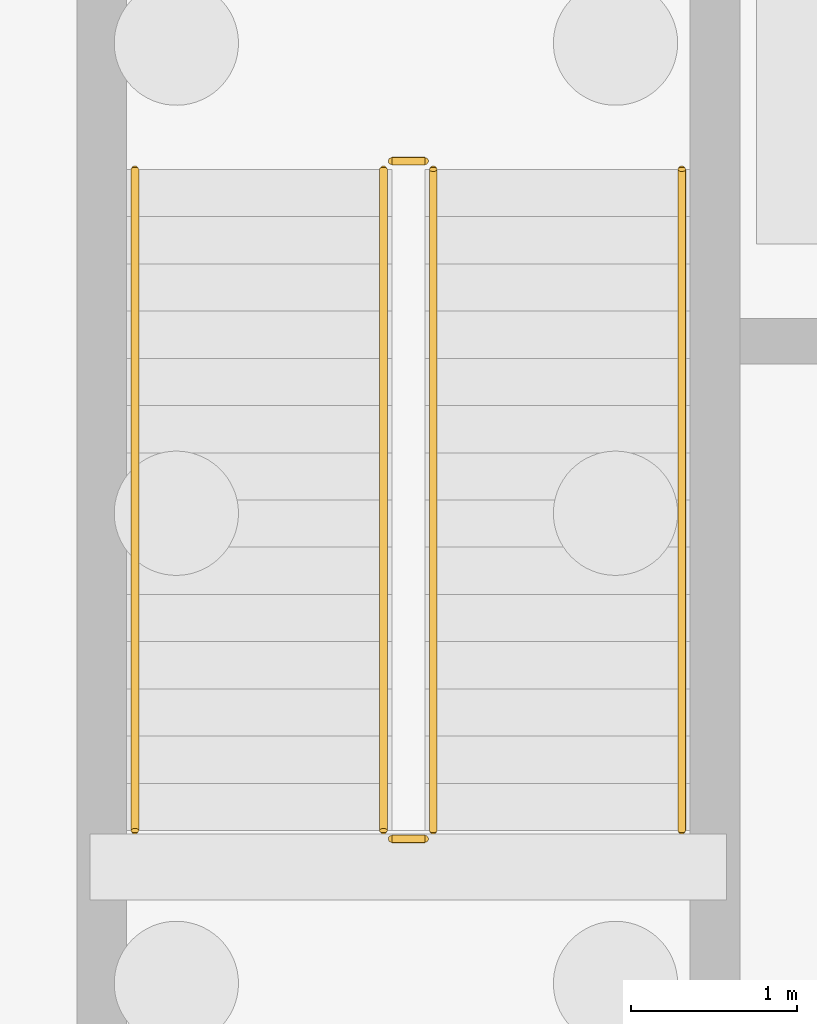
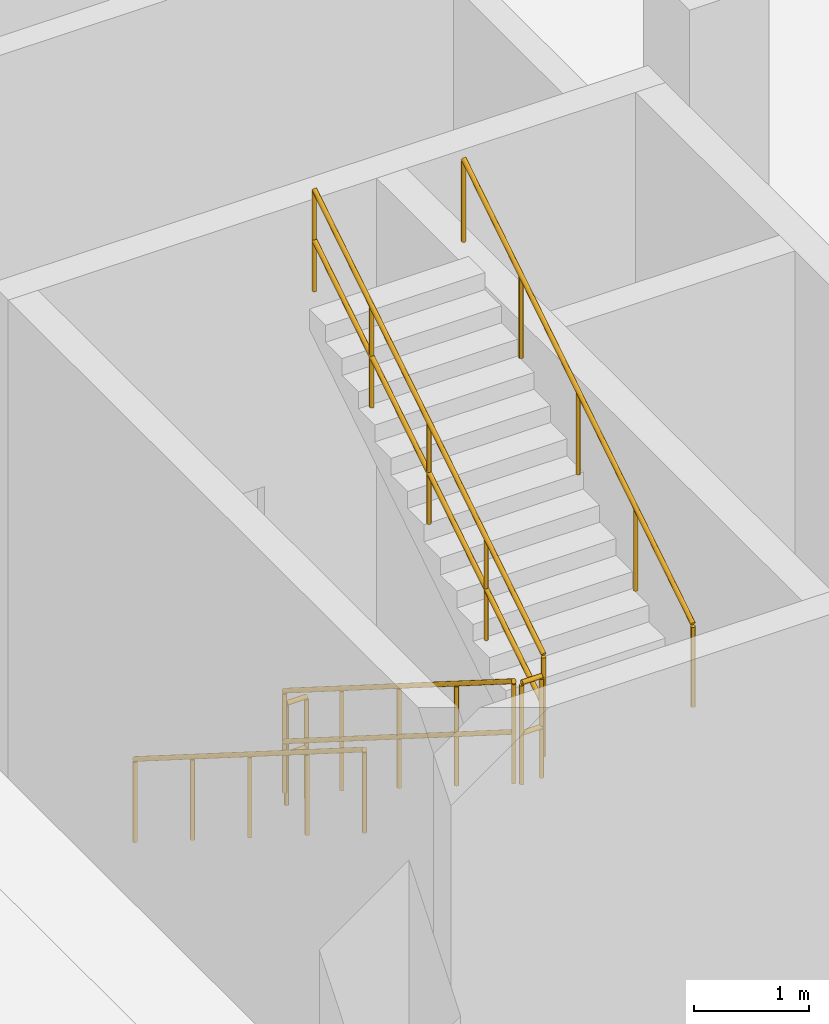
# One storey, part 15 of 18: 6 railings.
"""IFC4 building model written with IfcOpenShell, lengths in metres."""

from ifc_helpers import new_model, si_unit, direction, frame, origin, origin_2d, place, context, subcontext, project, spatial, circle, extrude, material, type_object, element, save


model = new_model("IFC4")

# Units and contexts
model_context = context("Model", 3, precision=1e-05, world=origin(), true_north=direction((0.0, 1.0)))
body_context = subcontext(model_context, "Body", "Model", "MODEL_VIEW")
ifc_project = project(units=[si_unit("LENGTHUNIT", "METRE"), si_unit("AREAUNIT", "SQUARE_METRE"), si_unit("VOLUMEUNIT", "CUBIC_METRE"), si_unit("PLANEANGLEUNIT", "RADIAN"), si_unit("MASSUNIT", "GRAM", prefix="KILO")], contexts=[model_context])

# Site, building, storey
site_placement = place(None, origin())
site = spatial("IfcSite", under=ifc_project, at=site_placement, CompositionType="ELEMENT")
building_placement = place(site_placement, origin())
building = spatial("IfcBuilding", under=site, at=building_placement, Name="Khurvash Pelagic Aquarium", CompositionType="ELEMENT")
storey_placement = place(building_placement, frame((0.0, 0.0, -5.39990234375)))
storey = spatial("IfcBuildingStorey", under=building, at=storey_placement, Name="B1", CompositionType="ELEMENT", Elevation=-5.39990234375)

# Railings
ifc_material_1 = material(Name="Powder-coated galvanised steel S355J2", Category="steel")
railing_type_1 = type_object("IfcRailingType", Name="GR-01", PredefinedType="GUARDRAIL", material=ifc_material_1)
railing_1_placement = place(storey_placement, frame((95.14990234375, 18.25, 0.179931640625)))
element("IfcRailing", 1, at=railing_1_placement, inside=storey, type_object=railing_type_1, Name="B1 ST-03 stair guard 1", PredefinedType="GUARDRAIL", context=body_context, shape_type="SweptSolid", body=[
    extrude(circle(Radius=0.02392578125, at=origin_2d()), frame((0.0, 0.0, 1.076171875), z_axis=(0.0, -0.845486444383, 0.533996884227), x_axis=(1.0, 0.0, 0.0)), (0.0, 0.0, 1.0), 4.71923828125),
    extrude(circle(Radius=0.02392578125, at=origin_2d()), frame((0.0, 0.0, 0.5380859375), z_axis=(0.0, -0.845486444383, 0.533996884227), x_axis=(1.0, 0.0, 0.0)), (0.0, 0.0, 1.0), 4.71923828125),
    extrude(circle(Radius=0.02099609375, at=origin_2d()), origin(), (0.0, 0.0, 1.0), 1.052001953125),
    extrude(circle(Radius=0.02099609375, at=origin_2d()), frame((0.0, -0.99755859375, 0.6298828125)), (0.0, 0.0, 1.0), 1.052001953125),
    extrude(circle(Radius=0.02099609375, at=origin_2d()), frame((0.0, -1.9951171875, 1.260009765625)), (0.0, 0.0, 1.0), 1.052001953125),
    extrude(circle(Radius=0.02099609375, at=origin_2d()), frame((0.0, -2.992431640625, 1.89013671875)), (0.0, 0.0, 1.0), 1.052001953125),
    extrude(circle(Radius=0.02099609375, at=origin_2d()), frame((0.0, -3.989990234375, 2.52001953125)), (0.0, 0.0, 1.0), 1.052001953125),
])
railing_2_placement = place(storey_placement, frame((95.199951171875, 14.2099609375, 2.699951171875)))
element("IfcRailing", 2, at=railing_2_placement, inside=storey, type_object=railing_type_1, Name="B1 ST-03 stair guard 2", PredefinedType="GUARDRAIL", context=body_context, shape_type="SweptSolid", body=[
    extrude(circle(Radius=0.02392578125, at=origin_2d()), frame((0.0, 0.0, 1.076171875), z_axis=(1.0, 0.0, 0.0), x_axis=(0.0, 1.0, 0.0)), (0.0, 0.0, 1.0), 0.199951171875),
    extrude(circle(Radius=0.02392578125, at=origin_2d()), frame((0.0, 0.0, 0.5380859375), z_axis=(1.0, 0.0, 0.0), x_axis=(0.0, 1.0, 0.0)), (0.0, 0.0, 1.0), 0.199951171875),
    extrude(circle(Radius=0.02099609375, at=origin_2d()), origin(), (0.0, 0.0, 1.0), 1.052001953125),
    extrude(circle(Radius=0.02099609375, at=origin_2d()), frame((0.199951171875, 0.0, 0.0)), (0.0, 0.0, 1.0), 1.052001953125),
])
railing_3_placement = place(storey_placement, frame((95.449951171875, 14.260009765625, 2.8798828125)))
element("IfcRailing", 3, at=railing_3_placement, inside=storey, type_object=railing_type_1, Name="B1 ST-03 stair guard 3", PredefinedType="GUARDRAIL", context=body_context, shape_type="SweptSolid", body=[
    extrude(circle(Radius=0.02392578125, at=origin_2d()), frame((0.0, 0.0, 1.076171875), z_axis=(0.0, 0.845486444383, 0.533996884227), x_axis=(-1.0, 0.0, 0.0)), (0.0, 0.0, 1.0), 4.71923828125),
    extrude(circle(Radius=0.02392578125, at=origin_2d()), frame((0.0, 0.0, 0.5380859375), z_axis=(0.0, 0.845486444383, 0.533996884227), x_axis=(-1.0, 0.0, 0.0)), (0.0, 0.0, 1.0), 4.71923828125),
    extrude(circle(Radius=0.02099609375, at=origin_2d()), origin(), (0.0, 0.0, 1.0), 1.052001953125),
    extrude(circle(Radius=0.02099609375, at=origin_2d()), frame((0.0, 0.99755859375, 0.6298828125)), (0.0, 0.0, 1.0), 1.052001953125),
    extrude(circle(Radius=0.02099609375, at=origin_2d()), frame((0.0, 1.9951171875, 1.260009765625)), (0.0, 0.0, 1.0), 1.052001953125),
    extrude(circle(Radius=0.02099609375, at=origin_2d()), frame((0.0, 2.992431640625, 1.89013671875)), (0.0, 0.0, 1.0), 1.052001953125),
    extrude(circle(Radius=0.02099609375, at=origin_2d()), frame((0.0, 3.989990234375, 2.52001953125)), (0.0, 0.0, 1.0), 1.052001953125),
])
railing_4_placement = place(storey_placement, frame((95.199951171875, 18.300048828125, 0.0)))
element("IfcRailing", 4, at=railing_4_placement, inside=storey, type_object=railing_type_1, Name="B1 ST-03 stair guard 4", PredefinedType="GUARDRAIL", context=body_context, shape_type="SweptSolid", body=[
    extrude(circle(Radius=0.02392578125, at=origin_2d()), frame((0.0, 0.0, 1.076171875), z_axis=(1.0, 0.0, 0.0), x_axis=(0.0, 1.0, 0.0)), (0.0, 0.0, 1.0), 0.199951171875),
    extrude(circle(Radius=0.02392578125, at=origin_2d()), frame((0.0, 0.0, 0.5380859375), z_axis=(1.0, 0.0, 0.0), x_axis=(0.0, 1.0, 0.0)), (0.0, 0.0, 1.0), 0.199951171875),
    extrude(circle(Radius=0.02099609375, at=origin_2d()), origin(), (0.0, 0.0, 1.0), 1.052001953125),
    extrude(circle(Radius=0.02099609375, at=origin_2d()), frame((0.199951171875, 0.0, 0.0)), (0.0, 0.0, 1.0), 1.052001953125),
])
ifc_material_2 = material(Name="Brushed stainless steel 316", Category="steel")
railing_type_2 = type_object("IfcRailingType", Name="HR-01", PredefinedType="HANDRAIL", material=ifc_material_2)
railing_5_placement = place(storey_placement, frame((93.64990234375, 18.25, 0.179931640625)))
element("IfcRailing", 5, at=railing_5_placement, inside=storey, type_object=railing_type_2, Name="B1 ST-03 stair handrail 1", PredefinedType="HANDRAIL", context=body_context, shape_type="SweptSolid", body=[
    extrude(circle(Radius=0.02392578125, at=origin_2d()), frame((0.0, 0.0, 0.8759765625), z_axis=(0.0, -0.845486444383, 0.533996884227), x_axis=(1.0, 0.0, 0.0)), (0.0, 0.0, 1.0), 4.71923828125),
    extrude(circle(Radius=0.02099609375, at=origin_2d()), origin(), (0.0, 0.0, 1.0), 0.851806640625),
    extrude(circle(Radius=0.02099609375, at=origin_2d()), frame((0.0, -0.99755859375, 0.6298828125)), (0.0, 0.0, 1.0), 0.851806640625),
    extrude(circle(Radius=0.02099609375, at=origin_2d()), frame((0.0, -1.9951171875, 1.260009765625)), (0.0, 0.0, 1.0), 0.851806640625),
    extrude(circle(Radius=0.02099609375, at=origin_2d()), frame((0.0, -2.992431640625, 1.89013671875)), (0.0, 0.0, 1.0), 0.851806640625),
    extrude(circle(Radius=0.02099609375, at=origin_2d()), frame((0.0, -3.989990234375, 2.52001953125)), (0.0, 0.0, 1.0), 0.851806640625),
])
railing_6_placement = place(storey_placement, frame((96.949951171875, 14.260009765625, 2.8798828125)))
element("IfcRailing", 6, at=railing_6_placement, inside=storey, type_object=railing_type_2, Name="B1 ST-03 stair handrail 2", PredefinedType="HANDRAIL", context=body_context, shape_type="SweptSolid", body=[
    extrude(circle(Radius=0.02392578125, at=origin_2d()), frame((0.0, 0.0, 0.8759765625), z_axis=(0.0, 0.845486444383, 0.533996884227), x_axis=(-1.0, 0.0, 0.0)), (0.0, 0.0, 1.0), 4.71923828125),
    extrude(circle(Radius=0.02099609375, at=origin_2d()), origin(), (0.0, 0.0, 1.0), 0.851806640625),
    extrude(circle(Radius=0.02099609375, at=origin_2d()), frame((0.0, 0.99755859375, 0.6298828125)), (0.0, 0.0, 1.0), 0.851806640625),
    extrude(circle(Radius=0.02099609375, at=origin_2d()), frame((0.0, 1.9951171875, 1.260009765625)), (0.0, 0.0, 1.0), 0.851806640625),
    extrude(circle(Radius=0.02099609375, at=origin_2d()), frame((0.0, 2.992431640625, 1.89013671875)), (0.0, 0.0, 1.0), 0.851806640625),
    extrude(circle(Radius=0.02099609375, at=origin_2d()), frame((0.0, 3.989990234375, 2.52001953125)), (0.0, 0.0, 1.0), 0.851806640625),
])

save(model, "model.ifc")
